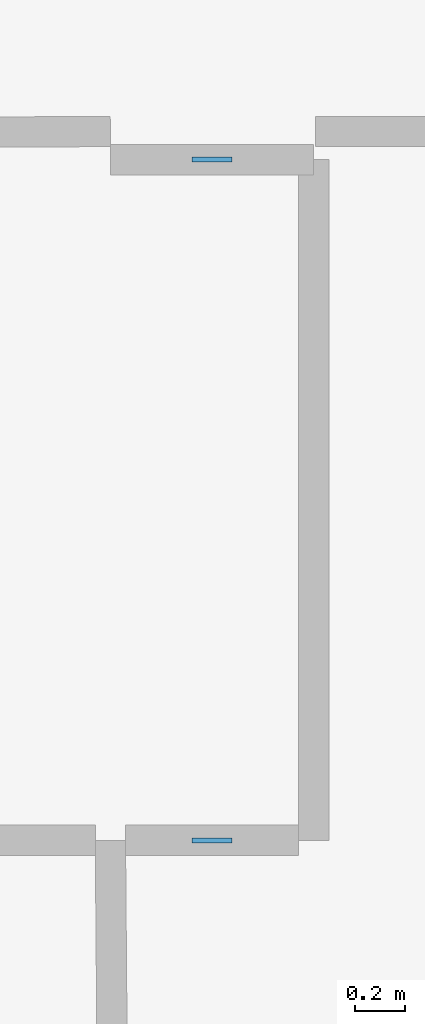
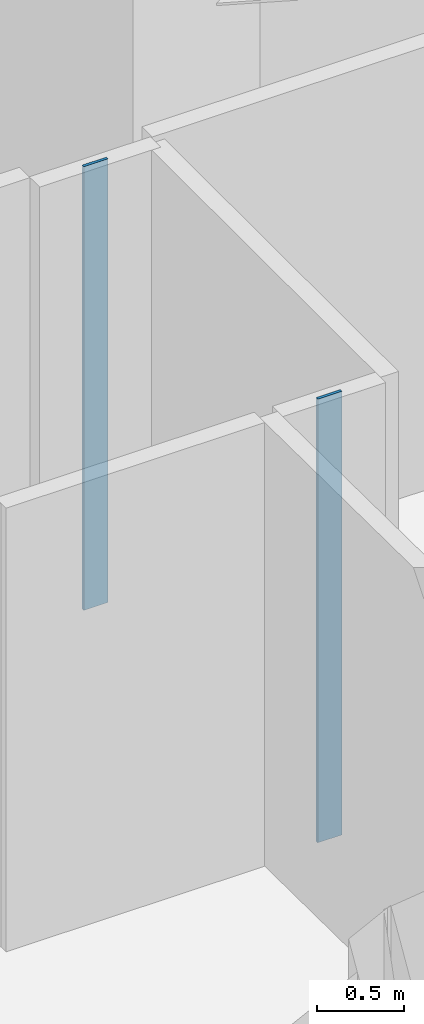
# One storey, part 2 of 15: 2 plates.
"""IFC4 building model written with IfcOpenShell, lengths in metres."""

from ifc_helpers import new_model, si_unit, direction, frame, origin, origin_2d, place, context, subcontext, project, spatial, rectangle, extrude, material, layer, layer_set, type_object, element, save


model = new_model("IFC4")

# Units and contexts
model_context = context("Model", 3, precision=1e-05, world=origin(), true_north=direction((0.0, 1.0)))
body_context = subcontext(model_context, "Body", "Model", "MODEL_VIEW")
ifc_project = project(units=[si_unit("LENGTHUNIT", "METRE"), si_unit("AREAUNIT", "SQUARE_METRE"), si_unit("VOLUMEUNIT", "CUBIC_METRE"), si_unit("PLANEANGLEUNIT", "RADIAN"), si_unit("MASSUNIT", "GRAM", prefix="KILO")], contexts=[model_context])

# Site, building, storey
site_placement = place(None, origin())
site = spatial("IfcSite", under=ifc_project, at=site_placement, CompositionType="ELEMENT")
building_placement = place(site_placement, origin())
building = spatial("IfcBuilding", under=site, at=building_placement, Name="Miruveldt Soraemaru", CompositionType="ELEMENT")
storey_placement = place(building_placement, frame((0.0, 0.0, 36.0)))
storey = spatial("IfcBuildingStorey", under=building, at=storey_placement, Name="L09", CompositionType="ELEMENT", Elevation=36.0)

# Plates
ifc_material = material(Name="Anodised aluminium EN AW-6063 T6", Category="aluminium")
ifc_layer = layer(ifc_material, 0.02001953125, Name="Anodised aluminium EN AW-6063 T6", Category="aluminium")
ifc_layer_set = layer_set([ifc_layer], Name="Anodised aluminium EN AW-6063 T6")
plate_type = type_object("IfcPlateType", Name="PLT-PART-TRIM", PredefinedType="SHEET", material=ifc_layer_set)
for number, where, z_axis, x_axis, name in (
    (1, (25.281005859375, 30.837890625, 0.0), (0.0, 0.0, 1.0), (-1.0, 0.0, 0.0), "L09 Partition Step Corner Trim Plate 110"),
    (2, (25.281005859375, 28.137939453125, 0.0), (0.0, 0.0, 1.0), (1.0, 0.0, 0.0), "L09 Partition Step Corner Trim Plate 091"),
):
    element("IfcPlate", number, at=place(storey_placement, frame(where, z_axis=z_axis, x_axis=x_axis)), inside=storey, type_object=plate_type, Name=name, PredefinedType="SHEET", context=body_context, shape_type="SweptSolid", body=[
        extrude(rectangle(XDim=0.159912109375, YDim=0.02001953125, at=origin_2d()), origin(), (0.0, 0.0, 1.0), 3.125),
    ])

save(model, "model.ifc")
